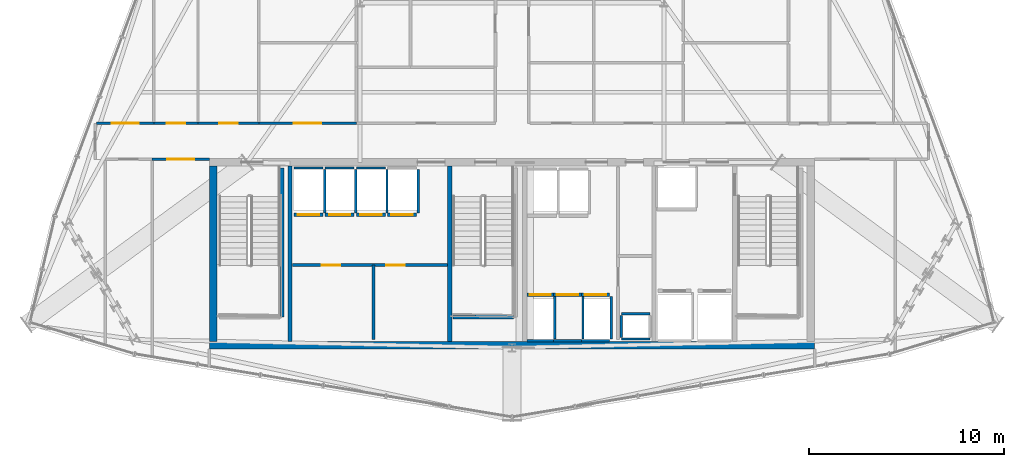
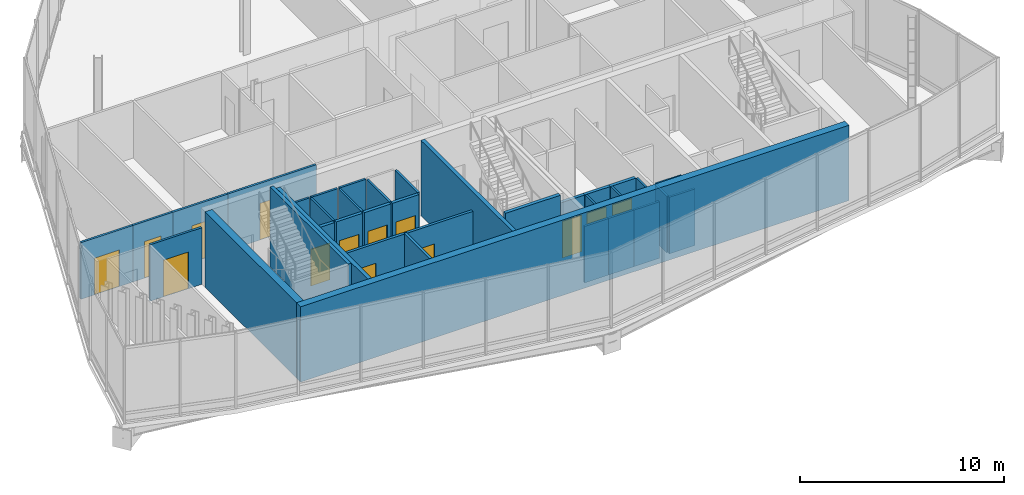
# One storey, part 23 of 29: 36 walls, 14 doors, 14 openings.
"""IFC4 building model written with IfcOpenShell, lengths in metres."""

from ifc_helpers import new_model, si_unit, direction, frame, frame_2d, origin, place, context, subcontext, project, spatial, rectangle, extrude, material, layer, layer_set, type_object, element, fill, save


model = new_model("IFC4")

# Units and contexts
model_context = context("Model", 3, precision=1e-05, world=origin(), true_north=direction((0.0, 1.0)))
body_context = subcontext(model_context, "Body", "Model", "MODEL_VIEW")
ifc_project = project(units=[si_unit("LENGTHUNIT", "METRE"), si_unit("AREAUNIT", "SQUARE_METRE"), si_unit("VOLUMEUNIT", "CUBIC_METRE"), si_unit("PLANEANGLEUNIT", "RADIAN"), si_unit("MASSUNIT", "GRAM", prefix="KILO")], contexts=[model_context])

# Site, building, storey
site_placement = place(None, origin())
site = spatial("IfcSite", under=ifc_project, at=site_placement, CompositionType="ELEMENT")
building_placement = place(site_placement, origin())
building = spatial("IfcBuilding", under=site, at=building_placement, Name="Ndaravel Arena Tower", CompositionType="ELEMENT")
storey_placement = place(building_placement, frame((0.0, 0.0, 208.39990234375)))
storey = spatial("IfcBuildingStorey", under=building, at=storey_placement, Name="L50", CompositionType="ELEMENT", Elevation=208.39990234375)

# Wall, openings, doors
ifc_material_1 = material(Name="Gypsum", Category="gypsum")
ifc_layer_1 = layer(ifc_material_1, 0.14990234375)
ifc_layer_set_1 = layer_set([ifc_layer_1], Name="Gypsum")
wall_type_1 = type_object("IfcWallType", Name="WALL-COMP-150", PredefinedType="PARTITIONING", material=ifc_layer_set_1)
wall_1_placement = place(storey_placement, frame((30.719970703125, 9.719970703125, 0.0), z_axis=(0.0, 0.0, 1.0), x_axis=(1.0, 0.0, 0.0)))
wall_1 = element("IfcWall", 1, at=wall_1_placement, inside=storey, type_object=wall_type_1, Name="L50 Reclaimed Shaft Partition", PredefinedType="PARTITIONING", context=body_context, shape_type="SweptSolid", body=[
    extrude(rectangle(XDim=7.9599609375, YDim=0.14990234375, at=frame_2d((3.97998046875, 0.0))), origin(), (0.0, 0.0, 1.0), 3.39013671875),
])
opening_1_placement = place(wall_1_placement, frame((1.5, 0.0, 0.0)))
opening_1 = element("IfcOpeningElement", 2, at=opening_1_placement, cuts=wall_1, Name="Opening FD-03", PredefinedType="OPENING", context=body_context, shape_type="SweptSolid", body=[
    extrude(rectangle(XDim=0.949951171875, YDim=2.199951171875, at=frame_2d((0.47509765625, 1.10009765625))), frame((0.0, 0.074951171875, 0.0), z_axis=(0.0, -1.0, 0.0), x_axis=(1.0, 0.0, 0.0)), (0.0, 0.0, 1.0), 0.14990234375),
])
opening_2_placement = place(wall_1_placement, frame((4.81005859375, 0.0, 0.0)))
opening_2 = element("IfcOpeningElement", 3, at=opening_2_placement, cuts=wall_1, Name="Opening FD-03", PredefinedType="OPENING", context=body_context, shape_type="SweptSolid", body=[
    extrude(rectangle(XDim=0.949951171875, YDim=2.199951171875, at=frame_2d((0.47509765625, 1.10009765625))), frame((0.0, 0.074951171875, 0.0), z_axis=(0.0, -1.0, 0.0), x_axis=(1.0, 0.0, 0.0)), (0.0, 0.0, 1.0), 0.14990234375),
])
ifc_material_2 = material(Name="Steel S355", Category="steel")
door_type_1 = type_object("IfcDoorType", Name="DT-11-CORE-950", OperationType="SINGLE_SWING_LEFT", PredefinedType="DOOR", material=ifc_material_2)
door_1_placement = place(opening_1_placement, origin())
door_1 = element("IfcDoor", 4, at=door_1_placement, inside=storey, type_object=door_type_1, Name="L50 ICT Server Room Door", OperationType="SINGLE_SWING_LEFT", OverallHeight=2.199951171875, OverallWidth=0.949951171875, PredefinedType="DOOR", context=body_context, shape_type="SweptSolid", body=[
    extrude(rectangle(XDim=0.949951171875, YDim=2.199951171875, at=frame_2d((0.47509765625, 1.10009765625))), frame((0.0, 0.02490234375, 0.0), z_axis=(0.0, -1.0, 0.0), x_axis=(1.0, 0.0, 0.0)), (0.0, 0.0, 1.0), 0.050048828125),
])
fill(opening_1, door_1)
door_2_placement = place(opening_2_placement, origin())
door_2 = element("IfcDoor", 5, at=door_2_placement, inside=storey, type_object=door_type_1, Name="L50 Core Archive Room Door", OperationType="SINGLE_SWING_RIGHT", OverallHeight=2.199951171875, OverallWidth=0.949951171875, PredefinedType="DOOR", context=body_context, shape_type="SweptSolid", body=[
    extrude(rectangle(XDim=0.949951171875, YDim=2.199951171875, at=frame_2d((0.47509765625, 1.10009765625))), frame((0.0, 0.02490234375, 0.0), z_axis=(0.0, -1.0, 0.0), x_axis=(1.0, 0.0, 0.0)), (0.0, 0.0, 1.0), 0.050048828125),
])
fill(opening_2, door_2)

# Walls
wall_2_placement = place(storey_placement, frame((34.8798828125, 5.89990234375, 0.0), z_axis=(0.0, 0.0, 1.0), x_axis=(0.0, 1.0, 0.0)))
element("IfcWall", 6, at=wall_2_placement, inside=storey, type_object=wall_type_1, Name="L50 Reclaimed Bay Divider", PredefinedType="PARTITIONING", context=body_context, shape_type="SweptSolid", body=[
    extrude(rectangle(XDim=3.820068359375, YDim=0.14990234375, at=frame_2d((1.91015625, 0.0))), origin(), (0.0, 0.0, 1.0), 3.39013671875),
])
ifc_material_3 = material(Name="Concrete C50/60", Category="concrete")
ifc_layer_2 = layer(ifc_material_3, 0.219970703125)
ifc_layer_set_2 = layer_set([ifc_layer_2], Name="Concrete C50/60")
wall_type_2 = type_object("IfcWallType", Name="WALL-CORE-220", PredefinedType="SOLIDWALL", material=ifc_layer_set_2)
for number, where, z_axis, x_axis, name in (
    (7, (30.60009765625, 5.800048828125, 0.0), (0.0, 0.0, 1.0), (0.0, 1.0, 0.0), "L50 Core Web Shear Wall 1"),
    (8, (38.800048828125, 5.800048828125, 0.0), (0.0, 0.0, 1.0), (0.0, 1.0, 0.0), "L50 Core Web Shear Wall 2"),
):
    element("IfcWall", number, at=place(storey_placement, frame(where, z_axis=z_axis, x_axis=x_axis)), inside=storey, type_object=wall_type_2, Name=name, PredefinedType="SOLIDWALL", context=body_context, shape_type="SweptSolid", body=[
        extrude(rectangle(XDim=9.0, YDim=0.219970703125, at=frame_2d((4.5, 0.0))), origin(), (0.0, 0.0, 1.0), 4.52001953125),
    ])
ifc_material_4 = material(Name="Concrete C50/60", Category="concrete")
ifc_layer_3 = layer(ifc_material_4, 0.39990234375)
ifc_layer_set_3 = layer_set([ifc_layer_3], Name="Concrete C50/60")
wall_type_3 = type_object("IfcWallType", Name="WALL-CORE-400", PredefinedType="SOLIDWALL", material=ifc_layer_set_3)
wall_3_placement = place(storey_placement, frame((26.449951171875, 5.60009765625, 0.0), z_axis=(0.0, 0.0, 1.0), x_axis=(1.0, 0.0, 0.0)))
element("IfcWall", 9, at=wall_3_placement, inside=storey, type_object=wall_type_3, Name="L50 Core South Shear Wall", PredefinedType="SOLIDWALL", context=body_context, shape_type="SweptSolid", body=[
    extrude(rectangle(XDim=31.10009765625, YDim=0.39990234375, at=frame_2d((15.550048828125, 0.0))), origin(), (0.0, 0.0, 1.0), 4.52001953125),
])
wall_4_placement = place(storey_placement, frame((26.64990234375, 5.800048828125, 0.0), z_axis=(0.0, 0.0, 1.0), x_axis=(0.0, 1.0, 0.0)))
element("IfcWall", 10, at=wall_4_placement, inside=storey, type_object=wall_type_3, Name="L50 Core West Shear Wall", PredefinedType="SOLIDWALL", context=body_context, shape_type="SweptSolid", body=[
    extrude(rectangle(XDim=9.0, YDim=0.39990234375, at=frame_2d((4.5, 0.0))), origin(), (0.0, 0.0, 1.0), 4.52001953125),
])

# Wall, opening, door
ifc_material_5 = material(Name="Gypsum", Category="gypsum")
ifc_layer_4 = layer(ifc_material_5, 0.125)
ifc_layer_set_4 = layer_set([ifc_layer_4], Name="Gypsum")
wall_type_4 = type_object("IfcWallType", Name="WALL-PART-125", PredefinedType="PARTITIONING", material=ifc_layer_set_4)
wall_5_placement = place(storey_placement, frame((26.449951171875, 15.14990234375, 0.0), z_axis=(0.0, 0.0, 1.0), x_axis=(-1.0, 0.0, 0.0)))
wall_5 = element("IfcWall", 11, at=wall_5_placement, inside=storey, type_object=wall_type_4, Name="L50 Interior Partition 004", PredefinedType="PARTITIONING", context=body_context, shape_type="SweptSolid", body=[
    extrude(rectangle(XDim=2.937744140625, YDim=0.125, at=frame_2d((1.46875, 0.0))), origin(), (0.0, 0.0, 1.0), 3.39013671875),
])
opening_3_placement = place(wall_5_placement, frame((0.768798828125, 0.0, 0.0)))
opening_3 = element("IfcOpeningElement", 12, at=opening_3_placement, cuts=wall_5, Name="Opening ID-02", PredefinedType="OPENING", context=body_context, shape_type="SweptSolid", body=[
    extrude(rectangle(XDim=1.39990234375, YDim=2.199951171875, at=frame_2d((0.699951171875, 1.10009765625))), frame((0.0, 0.0625, 0.0), z_axis=(0.0, -1.0, 0.0), x_axis=(1.0, 0.0, 0.0)), (0.0, 0.0, 1.0), 0.125),
])
ifc_material_6 = material(Name="Timber", Category="wood")
door_type_2 = type_object("IfcDoorType", Name="DT-04-SUITE-1400", OperationType="DOUBLE_DOOR_SINGLE_SWING", PredefinedType="DOOR", material=ifc_material_6)
door_3_placement = place(opening_3_placement, origin())
door_3 = element("IfcDoor", 13, at=door_3_placement, inside=storey, type_object=door_type_2, Name="L50 Collaborative Lounge Door", OperationType="SINGLE_SWING_LEFT", OverallHeight=2.199951171875, OverallWidth=1.39990234375, PredefinedType="DOOR", context=body_context, shape_type="SweptSolid", body=[
    extrude(rectangle(XDim=1.39990234375, YDim=2.199951171875, at=frame_2d((0.699951171875, 1.10009765625))), frame((0.0, 0.02490234375, 0.0), z_axis=(0.0, -1.0, 0.0), x_axis=(1.0, 0.0, 0.0)), (0.0, 0.0, 1.0), 0.050048828125),
])
fill(opening_3, door_3)

wall_6_placement = place(storey_placement, frame((20.657958984375, 17.0, 0.0), z_axis=(0.0, 0.0, 1.0), x_axis=(1.0, 0.0, 0.0)))
wall_6 = element("IfcWall", 14, at=wall_6_placement, inside=storey, type_object=wall_type_4, Name="L50 Interior Partition 007", PredefinedType="PARTITIONING", context=body_context, shape_type="SweptSolid", body=[
    extrude(rectangle(XDim=2.942138671875, YDim=0.125, at=frame_2d((1.47119140625, 0.0))), origin(), (0.0, 0.0, 1.0), 3.39013671875),
])
opening_4_placement = place(wall_6_placement, frame((0.77099609375, 0.0, 0.0)))
opening_4 = element("IfcOpeningElement", 15, at=opening_4_placement, cuts=wall_6, Name="Opening ID-02", PredefinedType="OPENING", context=body_context, shape_type="SweptSolid", body=[
    extrude(rectangle(XDim=1.39990234375, YDim=2.199951171875, at=frame_2d((0.699951171875, 1.10009765625))), frame((0.0, 0.0625, 0.0), z_axis=(0.0, -1.0, 0.0), x_axis=(1.0, 0.0, 0.0)), (0.0, 0.0, 1.0), 0.125),
])
door_4_placement = place(opening_4_placement, origin())
door_4 = element("IfcDoor", 16, at=door_4_placement, inside=storey, type_object=door_type_2, Name="L50 Collaborative Lounge 5 Door", OperationType="SINGLE_SWING_LEFT", OverallHeight=2.199951171875, OverallWidth=1.39990234375, PredefinedType="DOOR", context=body_context, shape_type="SweptSolid", body=[
    extrude(rectangle(XDim=1.39990234375, YDim=2.199951171875, at=frame_2d((0.699951171875, 1.10009765625))), frame((0.0, 0.02490234375, 0.0), z_axis=(0.0, -1.0, 0.0), x_axis=(1.0, 0.0, 0.0)), (0.0, 0.0, 1.0), 0.050048828125),
])
fill(opening_4, door_4)

wall_7_placement = place(storey_placement, frame((23.60009765625, 17.0, 0.0), z_axis=(0.0, 0.0, 1.0), x_axis=(1.0, 0.0, 0.0)))
wall_7 = element("IfcWall", 17, at=wall_7_placement, inside=storey, type_object=wall_type_4, Name="L50 Interior Partition 008", PredefinedType="PARTITIONING", context=body_context, shape_type="SweptSolid", body=[
    extrude(rectangle(XDim=2.267822265625, YDim=0.125, at=frame_2d((1.1337890625, 0.0))), origin(), (0.0, 0.0, 1.0), 3.39013671875),
])
opening_5_placement = place(wall_7_placement, frame((0.658935546875, 0.0, 0.0)))
opening_5 = element("IfcOpeningElement", 18, at=opening_5_placement, cuts=wall_7, Name="Opening ID-01", PredefinedType="OPENING", context=body_context, shape_type="SweptSolid", body=[
    extrude(rectangle(XDim=0.949951171875, YDim=2.199951171875, at=frame_2d((0.47509765625, 1.10009765625))), frame((0.0, 0.0625, 0.0), z_axis=(0.0, -1.0, 0.0), x_axis=(1.0, 0.0, 0.0)), (0.0, 0.0, 1.0), 0.125),
])
ifc_material_7 = material(Name="Timber", Category="wood")
door_type_3 = type_object("IfcDoorType", Name="DT-03-OFFICE-950", OperationType="SINGLE_SWING_LEFT", PredefinedType="DOOR", material=ifc_material_7)
door_5_placement = place(opening_5_placement, origin())
door_5 = element("IfcDoor", 19, at=door_5_placement, inside=storey, type_object=door_type_3, Name="L50 Hospitality Sitting Room 6 Door", OperationType="SINGLE_SWING_LEFT", OverallHeight=2.199951171875, OverallWidth=0.949951171875, PredefinedType="DOOR", context=body_context, shape_type="SweptSolid", body=[
    extrude(rectangle(XDim=0.949951171875, YDim=2.199951171875, at=frame_2d((0.47509765625, 1.10009765625))), frame((0.0, 0.02490234375, 0.0), z_axis=(0.0, -1.0, 0.0), x_axis=(1.0, 0.0, 0.0)), (0.0, 0.0, 1.0), 0.050048828125),
])
fill(opening_5, door_5)

wall_8_placement = place(storey_placement, frame((25.867919921875, 17.0, 0.0), z_axis=(0.0, 0.0, 1.0), x_axis=(1.0, 0.0, 0.0)))
wall_8 = element("IfcWall", 20, at=wall_8_placement, inside=storey, type_object=wall_type_4, Name="L50 Interior Partition 009", PredefinedType="PARTITIONING", context=body_context, shape_type="SweptSolid", body=[
    extrude(rectangle(XDim=3.132080078125, YDim=0.125, at=frame_2d((1.56591796875, 0.0))), origin(), (0.0, 0.0, 1.0), 3.39013671875),
])
opening_6_placement = place(wall_8_placement, frame((1.091064453125, 0.0, 0.0)))
opening_6 = element("IfcOpeningElement", 21, at=opening_6_placement, cuts=wall_8, Name="Opening ID-01", PredefinedType="OPENING", context=body_context, shape_type="SweptSolid", body=[
    extrude(rectangle(XDim=0.949951171875, YDim=2.199951171875, at=frame_2d((0.47509765625, 1.10009765625))), frame((0.0, 0.0625, 0.0), z_axis=(0.0, -1.0, 0.0), x_axis=(1.0, 0.0, 0.0)), (0.0, 0.0, 1.0), 0.125),
])
door_6_placement = place(opening_6_placement, origin())
door_6 = element("IfcDoor", 22, at=door_6_placement, inside=storey, type_object=door_type_3, Name="L50 Concierge Arrival Salon 6 Door", OperationType="SINGLE_SWING_RIGHT", OverallHeight=2.199951171875, OverallWidth=0.949951171875, PredefinedType="DOOR", context=body_context, shape_type="SweptSolid", body=[
    extrude(rectangle(XDim=0.949951171875, YDim=2.199951171875, at=frame_2d((0.47509765625, 1.10009765625))), frame((0.0, 0.02490234375, 0.0), z_axis=(0.0, -1.0, 0.0), x_axis=(1.0, 0.0, 0.0)), (0.0, 0.0, 1.0), 0.050048828125),
])
fill(opening_6, door_6)

wall_9_placement = place(storey_placement, frame((29.0, 17.0, 0.0), z_axis=(0.0, 0.0, 1.0), x_axis=(1.0, 0.0, 0.0)))
wall_9 = element("IfcWall", 23, at=wall_9_placement, inside=storey, type_object=wall_type_4, Name="L50 Interior Partition 010", PredefinedType="PARTITIONING", context=body_context, shape_type="SweptSolid", body=[
    extrude(rectangle(XDim=5.0, YDim=0.125, at=frame_2d((2.5, 0.0))), origin(), (0.0, 0.0, 1.0), 3.39013671875),
])
opening_7_placement = place(wall_9_placement, frame((1.800048828125, 0.0, 0.0)))
opening_7 = element("IfcOpeningElement", 24, at=opening_7_placement, cuts=wall_9, Name="Opening ID-02", PredefinedType="OPENING", context=body_context, shape_type="SweptSolid", body=[
    extrude(rectangle(XDim=1.39990234375, YDim=2.199951171875, at=frame_2d((0.699951171875, 1.10009765625))), frame((0.0, 0.0625, 0.0), z_axis=(0.0, -1.0, 0.0), x_axis=(1.0, 0.0, 0.0)), (0.0, 0.0, 1.0), 0.125),
])
door_7_placement = place(opening_7_placement, origin())
door_7 = element("IfcDoor", 25, at=door_7_placement, inside=storey, type_object=door_type_2, Name="L50 Executive Dining Lounge 4 Door", OperationType="SINGLE_SWING_LEFT", OverallHeight=2.199951171875, OverallWidth=1.39990234375, PredefinedType="DOOR", context=body_context, shape_type="SweptSolid", body=[
    extrude(rectangle(XDim=1.39990234375, YDim=2.199951171875, at=frame_2d((0.699951171875, 1.10009765625))), frame((0.0, 0.02490234375, 0.0), z_axis=(0.0, -1.0, 0.0), x_axis=(1.0, 0.0, 0.0)), (0.0, 0.0, 1.0), 0.050048828125),
])
fill(opening_7, door_7)

# Walls
ifc_material_8 = material(Name="Concrete C40/50", Category="concrete")
ifc_layer_5 = layer(ifc_material_8, 0.1201171875)
ifc_layer_set_5 = layer_set([ifc_layer_5], Name="Concrete C40/50")
wall_type_5 = type_object("IfcWallType", Name="WALL-SHAFT-120", PredefinedType="SOLIDWALL", material=ifc_layer_set_5)
for number, where, z_axis, x_axis, name in (
    (26, (47.6201171875, 5.919921875, 0.0), (0.0, 0.0, 1.0), (1.0, 0.0, 0.0), "L50 MEP Riser Shaft S Wall"),
    (27, (47.6201171875, 7.219970703125, 0.0), (0.0, 0.0, 1.0), (1.0, 0.0, 0.0), "L50 MEP Riser Shaft N Wall"),
):
    element("IfcWall", number, at=place(storey_placement, frame(where, z_axis=z_axis, x_axis=x_axis)), inside=storey, type_object=wall_type_5, Name=name, PredefinedType="SOLIDWALL", context=body_context, shape_type="SweptSolid", body=[
        extrude(rectangle(XDim=1.4599609375, YDim=0.1201171875, at=frame_2d((0.72998046875, 0.0))), origin(), (0.0, 0.0, 1.0), 3.39013671875),
    ])
wall_10_placement = place(storey_placement, frame((47.6201171875, 6.0, 0.0), z_axis=(0.0, 0.0, 1.0), x_axis=(0.0, 1.0, 0.0)))
element("IfcWall", 28, at=wall_10_placement, inside=storey, type_object=wall_type_5, Name="L50 MEP Riser Shaft W Wall", PredefinedType="SOLIDWALL", context=body_context, shape_type="SweptSolid", body=[
    extrude(rectangle(XDim=1.139892578125, YDim=0.1201171875, at=frame_2d((0.56982421875, 0.0))), origin(), (0.0, 0.0, 1.0), 3.39013671875),
])
wall_11_placement = place(storey_placement, frame((30.804931640625, 14.7099609375, 0.0), z_axis=(0.0, 0.0, 1.0), x_axis=(1.0, 0.0, 0.0)))
element("IfcWall", 29, at=wall_11_placement, inside=storey, type_object=wall_type_5, Name="L50 PL-M1 Shaft Rear Wall", PredefinedType="SOLIDWALL", context=body_context, shape_type="SweptSolid", body=[
    extrude(rectangle(XDim=1.489990234375, YDim=0.1201171875, at=frame_2d((0.7451171875, 0.0))), origin(), (0.0, 0.0, 1.0), 3.39013671875),
])
wall_12_placement = place(storey_placement, frame((32.375, 12.389892578125, 0.0), z_axis=(0.0, 0.0, 1.0), x_axis=(0.0, 1.0, 0.0)))
element("IfcWall", 30, at=wall_12_placement, inside=storey, type_object=wall_type_5, Name="L50 PL-M1 Shaft Side R Wall", PredefinedType="SOLIDWALL", context=body_context, shape_type="SweptSolid", body=[
    extrude(rectangle(XDim=2.230224609375, YDim=0.1201171875, at=frame_2d((1.115234375, 0.0))), origin(), (0.0, 0.0, 1.0), 3.39013671875),
])
wall_13_placement = place(storey_placement, frame((32.405029296875, 14.7099609375, 0.0), z_axis=(0.0, 0.0, 1.0), x_axis=(1.0, 0.0, 0.0)))
element("IfcWall", 31, at=wall_13_placement, inside=storey, type_object=wall_type_5, Name="L50 PL-M2 Shaft Rear Wall", PredefinedType="SOLIDWALL", context=body_context, shape_type="SweptSolid", body=[
    extrude(rectangle(XDim=1.489990234375, YDim=0.1201171875, at=frame_2d((0.7451171875, 0.0))), origin(), (0.0, 0.0, 1.0), 3.39013671875),
])
wall_14_placement = place(storey_placement, frame((33.97509765625, 12.389892578125, 0.0), z_axis=(0.0, 0.0, 1.0), x_axis=(0.0, 1.0, 0.0)))
element("IfcWall", 32, at=wall_14_placement, inside=storey, type_object=wall_type_5, Name="L50 PL-M2 Shaft Side R Wall", PredefinedType="SOLIDWALL", context=body_context, shape_type="SweptSolid", body=[
    extrude(rectangle(XDim=2.230224609375, YDim=0.1201171875, at=frame_2d((1.115234375, 0.0))), origin(), (0.0, 0.0, 1.0), 3.39013671875),
])
wall_15_placement = place(storey_placement, frame((34.0048828125, 14.7099609375, 0.0), z_axis=(0.0, 0.0, 1.0), x_axis=(1.0, 0.0, 0.0)))
element("IfcWall", 33, at=wall_15_placement, inside=storey, type_object=wall_type_5, Name="L50 PL-M3 Shaft Rear Wall", PredefinedType="SOLIDWALL", context=body_context, shape_type="SweptSolid", body=[
    extrude(rectangle(XDim=1.490234375, YDim=0.1201171875, at=frame_2d((0.7451171875, 0.0))), origin(), (0.0, 0.0, 1.0), 3.39013671875),
])
for number, where, z_axis, x_axis, name in (
    (34, (35.574951171875, 12.389892578125, 0.0), (0.0, 0.0, 1.0), (0.0, 1.0, 0.0), "L50 PL-M3 Shaft Side R Wall"),
    (35, (37.175048828125, 12.389892578125, 0.0), (0.0, 0.0, 1.0), (0.0, 1.0, 0.0), "L50 PL-M4 Shaft Side R Wall"),
):
    element("IfcWall", number, at=place(storey_placement, frame(where, z_axis=z_axis, x_axis=x_axis)), inside=storey, type_object=wall_type_5, Name=name, PredefinedType="SOLIDWALL", context=body_context, shape_type="SweptSolid", body=[
        extrude(rectangle(XDim=2.230224609375, YDim=0.1201171875, at=frame_2d((1.115234375, 0.0))), origin(), (0.0, 0.0, 1.0), 3.39013671875),
    ])
wall_16_placement = place(storey_placement, frame((42.780029296875, 5.840087890625, 0.0), z_axis=(0.0, 0.0, 1.0), x_axis=(1.0, 0.0, 0.0)))
element("IfcWall", 36, at=wall_16_placement, inside=storey, type_object=wall_type_5, Name="L50 PL-H1 Shaft Rear Wall", PredefinedType="SOLIDWALL", context=body_context, shape_type="SweptSolid", body=[
    extrude(rectangle(XDim=1.340087890625, YDim=0.1201171875, at=frame_2d((0.669921875, 0.0))), origin(), (0.0, 0.0, 1.0), 3.39013671875),
])
wall_17_placement = place(storey_placement, frame((44.199951171875, 5.929931640625, 0.0), z_axis=(0.0, 0.0, 1.0), x_axis=(0.0, 1.0, 0.0)))
element("IfcWall", 37, at=wall_17_placement, inside=storey, type_object=wall_type_5, Name="L50 PL-H1 Shaft Side R Wall", PredefinedType="SOLIDWALL", context=body_context, shape_type="SweptSolid", body=[
    extrude(rectangle(XDim=2.18017578125, YDim=0.1201171875, at=frame_2d((1.090087890625, 0.0))), origin(), (0.0, 0.0, 1.0), 3.39013671875),
])
wall_18_placement = place(storey_placement, frame((44.1298828125, 5.840087890625, 0.0), z_axis=(0.0, 0.0, 1.0), x_axis=(1.0, 0.0, 0.0)))
element("IfcWall", 38, at=wall_18_placement, inside=storey, type_object=wall_type_5, Name="L50 PL-H2 Shaft Rear Wall", PredefinedType="SOLIDWALL", context=body_context, shape_type="SweptSolid", body=[
    extrude(rectangle(XDim=1.440185546875, YDim=0.1201171875, at=frame_2d((0.72021484375, 0.0))), origin(), (0.0, 0.0, 1.0), 3.39013671875),
])
wall_19_placement = place(storey_placement, frame((45.64990234375, 5.929931640625, 0.0), z_axis=(0.0, 0.0, 1.0), x_axis=(0.0, 1.0, 0.0)))
element("IfcWall", 39, at=wall_19_placement, inside=storey, type_object=wall_type_5, Name="L50 PL-H2 Shaft Side R Wall", PredefinedType="SOLIDWALL", context=body_context, shape_type="SweptSolid", body=[
    extrude(rectangle(XDim=2.18017578125, YDim=0.1201171875, at=frame_2d((1.090087890625, 0.0))), origin(), (0.0, 0.0, 1.0), 3.39013671875),
])
wall_20_placement = place(storey_placement, frame((45.580078125, 5.840087890625, 0.0), z_axis=(0.0, 0.0, 1.0), x_axis=(1.0, 0.0, 0.0)))
element("IfcWall", 40, at=wall_20_placement, inside=storey, type_object=wall_type_5, Name="L50 PL-H3 Shaft Rear Wall", PredefinedType="SOLIDWALL", context=body_context, shape_type="SweptSolid", body=[
    extrude(rectangle(XDim=1.43994140625, YDim=0.1201171875, at=frame_2d((0.719970703125, 0.0))), origin(), (0.0, 0.0, 1.0), 3.39013671875),
])
wall_21_placement = place(storey_placement, frame((47.10009765625, 5.929931640625, 0.0), z_axis=(0.0, 0.0, 1.0), x_axis=(0.0, 1.0, 0.0)))
element("IfcWall", 41, at=wall_21_placement, inside=storey, type_object=wall_type_5, Name="L50 PL-H3 Shaft Side R Wall", PredefinedType="SOLIDWALL", context=body_context, shape_type="SweptSolid", body=[
    extrude(rectangle(XDim=2.18017578125, YDim=0.1201171875, at=frame_2d((1.090087890625, 0.0))), origin(), (0.0, 0.0, 1.0), 3.39013671875),
])
ifc_material_9 = material(Name="Concrete C40/50", Category="concrete")
ifc_layer_6 = layer(ifc_material_9, 0.199951171875)
ifc_layer_set_6 = layer_set([ifc_layer_6], Name="Concrete C40/50")
wall_type_6 = type_object("IfcWallType", Name="WALL-SHAFT-200", PredefinedType="SOLIDWALL", material=ifc_layer_set_6)
wall_22_placement = place(storey_placement, frame((30.18994140625, 14.699951171875, 0.0), z_axis=(0.0, 0.0, 1.0), x_axis=(0.0, -1.0, 0.0)))
element("IfcWall", 42, at=wall_22_placement, inside=storey, type_object=wall_type_6, Name="L50 ST-1 Structural Shaft Wall Right", PredefinedType="SOLIDWALL", context=body_context, shape_type="SweptSolid", body=[
    extrude(rectangle(XDim=7.64990234375, YDim=0.199951171875, at=frame_2d((3.824951171875, 0.0))), origin(), (0.0, 0.0, 1.0), 4.800048828125),
])
wall_23_placement = place(storey_placement, frame((38.969970703125, 7.050048828125, 0.0), z_axis=(0.0, 0.0, 1.0), x_axis=(1.0, 0.0, 0.0)))
element("IfcWall", 43, at=wall_23_placement, inside=storey, type_object=wall_type_6, Name="L50 ST-2 Structural Shaft Wall Far", PredefinedType="SOLIDWALL", context=body_context, shape_type="SweptSolid", body=[
    extrude(rectangle(XDim=3.114990234375, YDim=0.199951171875, at=frame_2d((1.5576171875, 0.0))), origin(), (0.0, 0.0, 1.0), 4.800048828125),
])

# Wall, opening, door
wall_24_placement = place(storey_placement, frame((30.804931640625, 12.300048828125, 0.0), z_axis=(0.0, 0.0, 1.0), x_axis=(1.0, 0.0, 0.0)))
wall_24 = element("IfcWall", 44, at=wall_24_placement, inside=storey, type_object=wall_type_6, Name="L50 PL-M1 Shaft Landing Wall", PredefinedType="SOLIDWALL", context=body_context, shape_type="SweptSolid", body=[
    extrude(rectangle(XDim=1.489990234375, YDim=0.179931640625, at=frame_2d((0.7451171875, 0.0))), origin(), (0.0, 0.0, 1.0), 3.39013671875),
])
opening_8_placement = place(wall_24_placement, frame((0.195068359375, 0.0, 0.0)))
opening_8 = element("IfcOpeningElement", 45, at=opening_8_placement, cuts=wall_24, Name="Opening LD-01", PredefinedType="OPENING", context=body_context, shape_type="SweptSolid", body=[
    extrude(rectangle(XDim=1.10009765625, YDim=2.199951171875, at=frame_2d((0.550048828125, 1.10009765625))), frame((0.0, 0.08984375, 0.0), z_axis=(0.0, -1.0, 0.0), x_axis=(1.0, 0.0, 0.0)), (0.0, 0.0, 1.0), 0.179931640625),
])
ifc_material_10 = material(Name="Steel S355", Category="steel")
door_type_4 = type_object("IfcDoorType", Name="DT-06-LIFT-1100", OperationType="SLIDING_TO_LEFT", PredefinedType="DOOR", material=ifc_material_10)
door_8_placement = place(opening_8_placement, origin())
door_8 = element("IfcDoor", 46, at=door_8_placement, inside=storey, type_object=door_type_4, Name="L50 Lift PL-M1 Sliding Landing Door", OperationType="SLIDING_TO_LEFT", OverallHeight=2.199951171875, OverallWidth=1.10009765625, PredefinedType="DOOR", context=body_context, shape_type="SweptSolid", body=[
    extrude(rectangle(XDim=1.10009765625, YDim=2.199951171875, at=frame_2d((0.550048828125, 1.10009765625))), frame((0.0, 0.02490234375, 0.0), z_axis=(0.0, -1.0, 0.0), x_axis=(1.0, 0.0, 0.0)), (0.0, 0.0, 1.0), 0.050048828125),
])
fill(opening_8, door_8)

wall_25_placement = place(storey_placement, frame((32.405029296875, 12.300048828125, 0.0), z_axis=(0.0, 0.0, 1.0), x_axis=(1.0, 0.0, 0.0)))
wall_25 = element("IfcWall", 47, at=wall_25_placement, inside=storey, type_object=wall_type_6, Name="L50 PL-M2 Shaft Landing Wall", PredefinedType="SOLIDWALL", context=body_context, shape_type="SweptSolid", body=[
    extrude(rectangle(XDim=1.489990234375, YDim=0.179931640625, at=frame_2d((0.7451171875, 0.0))), origin(), (0.0, 0.0, 1.0), 3.39013671875),
])
opening_9_placement = place(wall_25_placement, frame((0.195068359375, 0.0, 0.0)))
opening_9 = element("IfcOpeningElement", 48, at=opening_9_placement, cuts=wall_25, Name="Opening LD-01", PredefinedType="OPENING", context=body_context, shape_type="SweptSolid", body=[
    extrude(rectangle(XDim=1.10009765625, YDim=2.199951171875, at=frame_2d((0.550048828125, 1.10009765625))), frame((0.0, 0.08984375, 0.0), z_axis=(0.0, -1.0, 0.0), x_axis=(1.0, 0.0, 0.0)), (0.0, 0.0, 1.0), 0.179931640625),
])
door_9_placement = place(opening_9_placement, origin())
door_9 = element("IfcDoor", 49, at=door_9_placement, inside=storey, type_object=door_type_4, Name="L50 Lift PL-M2 Sliding Landing Door", OperationType="SLIDING_TO_LEFT", OverallHeight=2.199951171875, OverallWidth=1.10009765625, PredefinedType="DOOR", context=body_context, shape_type="SweptSolid", body=[
    extrude(rectangle(XDim=1.10009765625, YDim=2.199951171875, at=frame_2d((0.550048828125, 1.10009765625))), frame((0.0, 0.02490234375, 0.0), z_axis=(0.0, -1.0, 0.0), x_axis=(1.0, 0.0, 0.0)), (0.0, 0.0, 1.0), 0.050048828125),
])
fill(opening_9, door_9)

wall_26_placement = place(storey_placement, frame((34.0048828125, 12.300048828125, 0.0), z_axis=(0.0, 0.0, 1.0), x_axis=(1.0, 0.0, 0.0)))
wall_26 = element("IfcWall", 50, at=wall_26_placement, inside=storey, type_object=wall_type_6, Name="L50 PL-M3 Shaft Landing Wall", PredefinedType="SOLIDWALL", context=body_context, shape_type="SweptSolid", body=[
    extrude(rectangle(XDim=1.490234375, YDim=0.179931640625, at=frame_2d((0.7451171875, 0.0))), origin(), (0.0, 0.0, 1.0), 3.39013671875),
])
opening_10_placement = place(wall_26_placement, frame((0.195068359375, 0.0, 0.0)))
opening_10 = element("IfcOpeningElement", 51, at=opening_10_placement, cuts=wall_26, Name="Opening LD-01", PredefinedType="OPENING", context=body_context, shape_type="SweptSolid", body=[
    extrude(rectangle(XDim=1.10009765625, YDim=2.199951171875, at=frame_2d((0.550048828125, 1.10009765625))), frame((0.0, 0.08984375, 0.0), z_axis=(0.0, -1.0, 0.0), x_axis=(1.0, 0.0, 0.0)), (0.0, 0.0, 1.0), 0.179931640625),
])
door_10_placement = place(opening_10_placement, origin())
door_10 = element("IfcDoor", 52, at=door_10_placement, inside=storey, type_object=door_type_4, Name="L50 Lift PL-M3 Sliding Landing Door", OperationType="SLIDING_TO_LEFT", OverallHeight=2.199951171875, OverallWidth=1.10009765625, PredefinedType="DOOR", context=body_context, shape_type="SweptSolid", body=[
    extrude(rectangle(XDim=1.10009765625, YDim=2.199951171875, at=frame_2d((0.550048828125, 1.10009765625))), frame((0.0, 0.02490234375, 0.0), z_axis=(0.0, -1.0, 0.0), x_axis=(1.0, 0.0, 0.0)), (0.0, 0.0, 1.0), 0.050048828125),
])
fill(opening_10, door_10)

wall_27_placement = place(storey_placement, frame((35.60498046875, 12.300048828125, 0.0), z_axis=(0.0, 0.0, 1.0), x_axis=(1.0, 0.0, 0.0)))
wall_27 = element("IfcWall", 53, at=wall_27_placement, inside=storey, type_object=wall_type_6, Name="L50 PL-M4 Shaft Landing Wall", PredefinedType="SOLIDWALL", context=body_context, shape_type="SweptSolid", body=[
    extrude(rectangle(XDim=1.489990234375, YDim=0.179931640625, at=frame_2d((0.7451171875, 0.0))), origin(), (0.0, 0.0, 1.0), 3.39013671875),
])
opening_11_placement = place(wall_27_placement, frame((0.195068359375, 0.0, 0.0)))
opening_11 = element("IfcOpeningElement", 54, at=opening_11_placement, cuts=wall_27, Name="Opening LD-01", PredefinedType="OPENING", context=body_context, shape_type="SweptSolid", body=[
    extrude(rectangle(XDim=1.10009765625, YDim=2.199951171875, at=frame_2d((0.550048828125, 1.10009765625))), frame((0.0, 0.08984375, 0.0), z_axis=(0.0, -1.0, 0.0), x_axis=(1.0, 0.0, 0.0)), (0.0, 0.0, 1.0), 0.179931640625),
])
door_11_placement = place(opening_11_placement, origin())
door_11 = element("IfcDoor", 55, at=door_11_placement, inside=storey, type_object=door_type_4, Name="L50 Lift PL-M4 Sliding Landing Door", OperationType="SLIDING_TO_LEFT", OverallHeight=2.199951171875, OverallWidth=1.10009765625, PredefinedType="DOOR", context=body_context, shape_type="SweptSolid", body=[
    extrude(rectangle(XDim=1.10009765625, YDim=2.199951171875, at=frame_2d((0.550048828125, 1.10009765625))), frame((0.0, 0.02490234375, 0.0), z_axis=(0.0, -1.0, 0.0), x_axis=(1.0, 0.0, 0.0)), (0.0, 0.0, 1.0), 0.050048828125),
])
fill(opening_11, door_11)

wall_28_placement = place(storey_placement, frame((42.780029296875, 8.199951171875, 0.0), z_axis=(0.0, 0.0, 1.0), x_axis=(1.0, 0.0, 0.0)))
wall_28 = element("IfcWall", 56, at=wall_28_placement, inside=storey, type_object=wall_type_6, Name="L50 PL-H1 Shaft Landing Wall", PredefinedType="SOLIDWALL", context=body_context, shape_type="SweptSolid", body=[
    extrude(rectangle(XDim=1.340087890625, YDim=0.179931640625, at=frame_2d((0.669921875, 0.0))), origin(), (0.0, 0.0, 1.0), 3.39013671875),
])
opening_12_placement = place(wall_28_placement, frame((0.1201171875, 0.0, 0.0)))
opening_12 = element("IfcOpeningElement", 57, at=opening_12_placement, cuts=wall_28, Name="Opening LD-01", PredefinedType="OPENING", context=body_context, shape_type="SweptSolid", body=[
    extrude(rectangle(XDim=1.10009765625, YDim=2.199951171875, at=frame_2d((0.550048828125, 1.10009765625))), frame((0.0, 0.08984375, 0.0), z_axis=(0.0, -1.0, 0.0), x_axis=(1.0, 0.0, 0.0)), (0.0, 0.0, 1.0), 0.179931640625),
])
door_12_placement = place(opening_12_placement, origin())
door_12 = element("IfcDoor", 58, at=door_12_placement, inside=storey, type_object=door_type_4, Name="L50 Lift PL-H1 Sliding Landing Door", OperationType="SLIDING_TO_LEFT", OverallHeight=2.199951171875, OverallWidth=1.10009765625, PredefinedType="DOOR", context=body_context, shape_type="SweptSolid", body=[
    extrude(rectangle(XDim=1.10009765625, YDim=2.199951171875, at=frame_2d((0.550048828125, 1.10009765625))), frame((0.0, 0.02490234375, 0.0), z_axis=(0.0, -1.0, 0.0), x_axis=(1.0, 0.0, 0.0)), (0.0, 0.0, 1.0), 0.050048828125),
])
fill(opening_12, door_12)

wall_29_placement = place(storey_placement, frame((44.1298828125, 8.199951171875, 0.0), z_axis=(0.0, 0.0, 1.0), x_axis=(1.0, 0.0, 0.0)))
wall_29 = element("IfcWall", 59, at=wall_29_placement, inside=storey, type_object=wall_type_6, Name="L50 PL-H2 Shaft Landing Wall", PredefinedType="SOLIDWALL", context=body_context, shape_type="SweptSolid", body=[
    extrude(rectangle(XDim=1.440185546875, YDim=0.179931640625, at=frame_2d((0.72021484375, 0.0))), origin(), (0.0, 0.0, 1.0), 3.39013671875),
])
opening_13_placement = place(wall_29_placement, frame((0.169921875, 0.0, 0.0)))
opening_13 = element("IfcOpeningElement", 60, at=opening_13_placement, cuts=wall_29, Name="Opening LD-01", PredefinedType="OPENING", context=body_context, shape_type="SweptSolid", body=[
    extrude(rectangle(XDim=1.10009765625, YDim=2.199951171875, at=frame_2d((0.550048828125, 1.10009765625))), frame((0.0, 0.08984375, 0.0), z_axis=(0.0, -1.0, 0.0), x_axis=(1.0, 0.0, 0.0)), (0.0, 0.0, 1.0), 0.179931640625),
])
door_13_placement = place(opening_13_placement, origin())
door_13 = element("IfcDoor", 61, at=door_13_placement, inside=storey, type_object=door_type_4, Name="L50 Lift PL-H2 Sliding Landing Door", OperationType="SLIDING_TO_LEFT", OverallHeight=2.199951171875, OverallWidth=1.10009765625, PredefinedType="DOOR", context=body_context, shape_type="SweptSolid", body=[
    extrude(rectangle(XDim=1.10009765625, YDim=2.199951171875, at=frame_2d((0.550048828125, 1.10009765625))), frame((0.0, 0.02490234375, 0.0), z_axis=(0.0, -1.0, 0.0), x_axis=(1.0, 0.0, 0.0)), (0.0, 0.0, 1.0), 0.050048828125),
])
fill(opening_13, door_13)

wall_30_placement = place(storey_placement, frame((45.580078125, 8.199951171875, 0.0), z_axis=(0.0, 0.0, 1.0), x_axis=(1.0, 0.0, 0.0)))
wall_30 = element("IfcWall", 62, at=wall_30_placement, inside=storey, type_object=wall_type_6, Name="L50 PL-H3 Shaft Landing Wall", PredefinedType="SOLIDWALL", context=body_context, shape_type="SweptSolid", body=[
    extrude(rectangle(XDim=1.43994140625, YDim=0.179931640625, at=frame_2d((0.719970703125, 0.0))), origin(), (0.0, 0.0, 1.0), 3.39013671875),
])
opening_14_placement = place(wall_30_placement, frame((0.169921875, 0.0, 0.0)))
opening_14 = element("IfcOpeningElement", 63, at=opening_14_placement, cuts=wall_30, Name="Opening LD-01", PredefinedType="OPENING", context=body_context, shape_type="SweptSolid", body=[
    extrude(rectangle(XDim=1.10009765625, YDim=2.199951171875, at=frame_2d((0.550048828125, 1.10009765625))), frame((0.0, 0.08984375, 0.0), z_axis=(0.0, -1.0, 0.0), x_axis=(1.0, 0.0, 0.0)), (0.0, 0.0, 1.0), 0.179931640625),
])
door_14_placement = place(opening_14_placement, origin())
door_14 = element("IfcDoor", 64, at=door_14_placement, inside=storey, type_object=door_type_4, Name="L50 Lift PL-H3 Sliding Landing Door", OperationType="SLIDING_TO_LEFT", OverallHeight=2.199951171875, OverallWidth=1.10009765625, PredefinedType="DOOR", context=body_context, shape_type="SweptSolid", body=[
    extrude(rectangle(XDim=1.10009765625, YDim=2.199951171875, at=frame_2d((0.550048828125, 1.10009765625))), frame((0.0, 0.02490234375, 0.0), z_axis=(0.0, -1.0, 0.0), x_axis=(1.0, 0.0, 0.0)), (0.0, 0.0, 1.0), 0.050048828125),
])
fill(opening_14, door_14)

save(model, "model.ifc")
